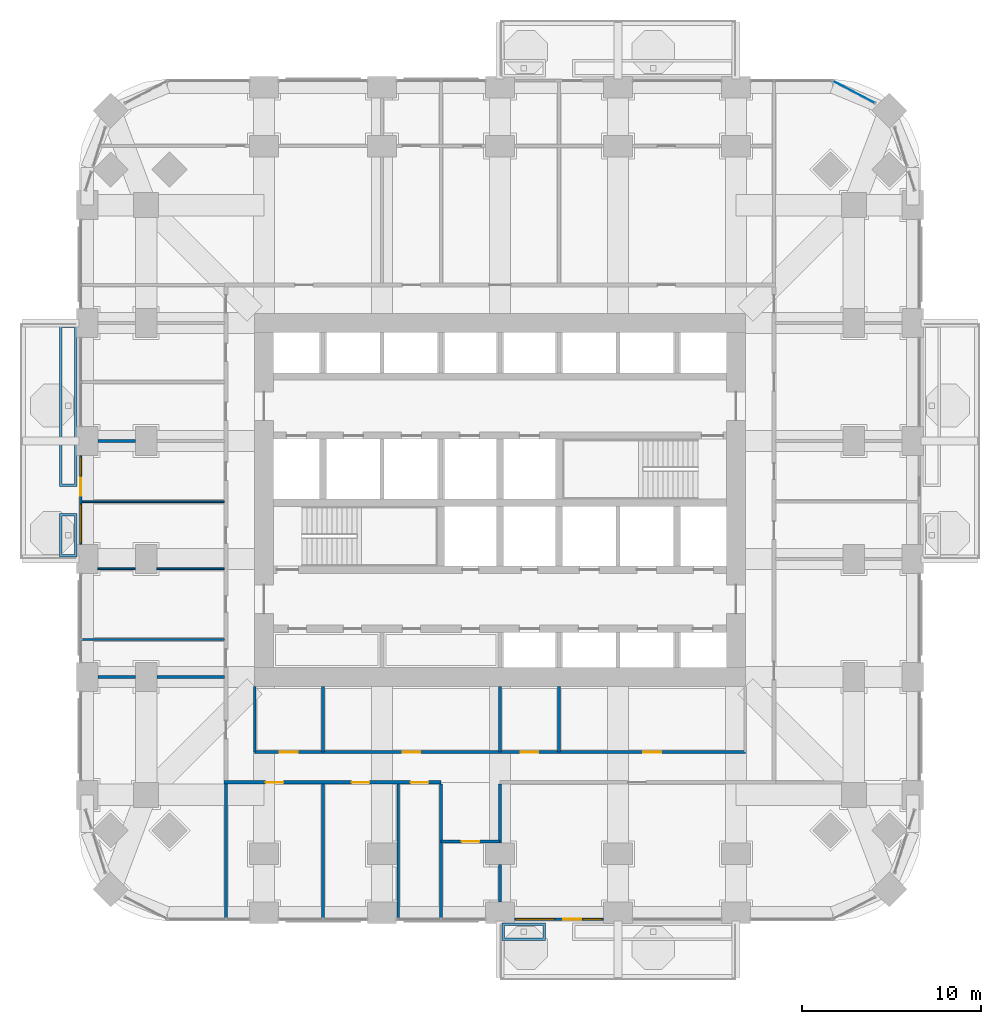
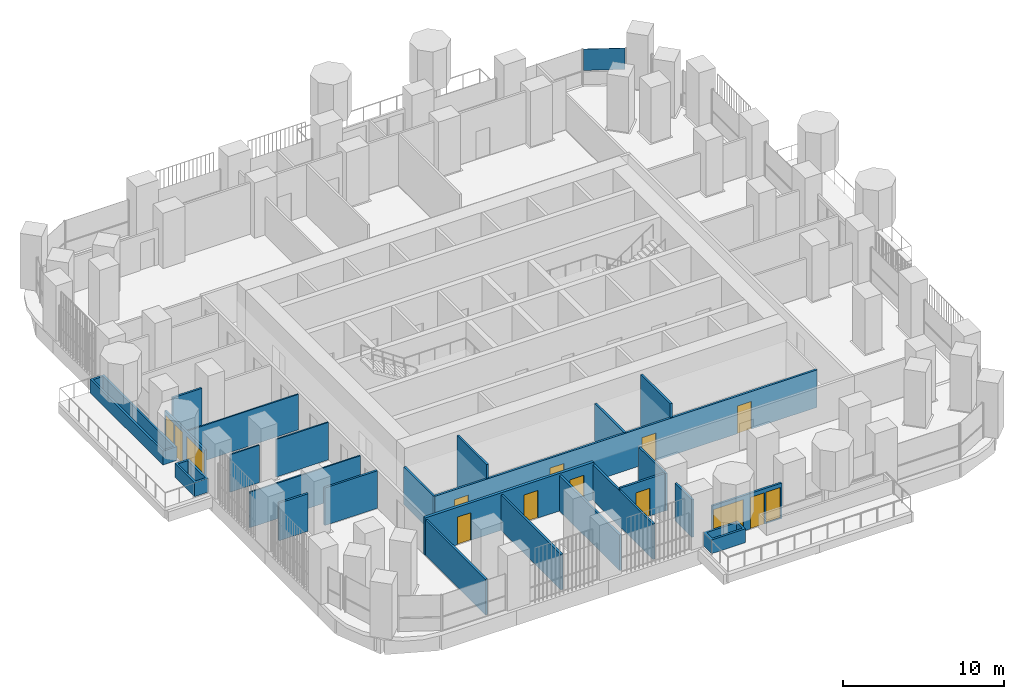
# One storey, part 13 of 21: 25 walls, 10 doors, 4 windows, 1 plate, 14 openings, 1 element without a shape of its own.
"""IFC4 building model written with IfcOpenShell, lengths in metres."""

from ifc_helpers import new_model, si_unit, direction, frame, frame_2d, origin, origin_2d, place, context, subcontext, project, spatial, polyline, rectangle, outline, extrude, material, layer, layer_set, type_object, element, fill, aggregate, save


model = new_model("IFC4")

# Units and contexts
model_context = context("Model", 3, precision=1e-05, world=origin(), true_north=direction((0.0, 1.0)))
body_context = subcontext(model_context, "Body", "Model", "MODEL_VIEW")
ifc_project = project(units=[si_unit("LENGTHUNIT", "METRE"), si_unit("AREAUNIT", "SQUARE_METRE"), si_unit("VOLUMEUNIT", "CUBIC_METRE"), si_unit("PLANEANGLEUNIT", "RADIAN"), si_unit("MASSUNIT", "GRAM", prefix="KILO")], contexts=[model_context])

# Site, building, storey
site_placement = place(None, origin())
site = spatial("IfcSite", under=ifc_project, at=site_placement, CompositionType="ELEMENT")
building_placement = place(site_placement, origin())
building = spatial("IfcBuilding", under=site, at=building_placement, Name="Cobogo Forest Laboratory Tower", CompositionType="ELEMENT")
storey_placement = place(building_placement, frame((0.0, 0.0, 86.39990234375)))
storey = spatial("IfcBuildingStorey", under=building, at=storey_placement, Name="L19", CompositionType="ELEMENT", Elevation=86.39990234375)

# Curtain wall, plate
ifc_material_1 = material(Name="Aluminium curtain wall", Category="aluminium")
curtain_wall_type = type_object("IfcCurtainWallType", Name="CW-1 unitised curtain wall, clear glazing, laboratory floors zones A and B", PredefinedType="USERDEFINED", material=ifc_material_1)
curtain_wall_placement = place(storey_placement, origin())
curtain_wall = element("IfcCurtainWall", 1, at=curtain_wall_placement, inside=storey, type_object=curtain_wall_type, Name="Curtain wall 17 L19", ObjectType="UNITISED CURTAIN WALL", PredefinedType="USERDEFINED")
ifc_material_2 = material(Name="Clear insulated glass", Category="glass")
ifc_layer_1 = layer(ifc_material_2, 0.028076171875)
ifc_layer_set_1 = layer_set([ifc_layer_1], Name="GP-1 clear insulated glass unit 28")
plate_type = type_object("IfcPlateType", Name="GP-1 clear insulated glass unit 28", PredefinedType="CURTAIN_PANEL", material=ifc_layer_set_1)
plate_placement = place(storey_placement, frame((46.2060546875, 45.917724609375, 1.080078125), z_axis=(0.0, 0.0, 1.0), x_axis=(-0.885686540666, 0.464283697413, 0.0)))
plate = element("IfcPlate", 2, at=plate_placement, type_object=plate_type, Name="CW-1 panel 1.2", PredefinedType="CURTAIN_PANEL", context=body_context, shape_type="SweptSolid", body=[
    extrude(rectangle(XDim=2.603271484375, YDim=0.028076171875, at=origin_2d()), origin(), (0.0, 0.0, 1.0), 1.6201171875),
])
aggregate(curtain_wall, [plate])

# Wall, openings, door, windows
ifc_material_3 = material(Name="Aluminium framed glazed screen", Category="aluminium")
ifc_layer_2 = layer(ifc_material_3, 0.14990234375)
ifc_layer_set_2 = layer_set([ifc_layer_2], Name="GS1 glazed door screen 150")
wall_type_1 = type_object("IfcWallType", Name="GS1 glazed door screen 150", PredefinedType="SOLIDWALL", material=ifc_layer_set_2)
wall_1_placement = place(storey_placement, frame((27.199951171875, -0.35009765625, 0.0), z_axis=(0.0, 0.0, 1.0), x_axis=(1.0, 0.0, 0.0)))
wall_1 = element("IfcWall", 3, at=wall_1_placement, inside=storey, type_object=wall_type_1, Name="Door screen BAL-S1 L19", PredefinedType="SOLIDWALL", context=body_context, shape_type="SweptSolid", body=[
    extrude(rectangle(XDim=5.0, YDim=0.14990234375, at=frame_2d((2.5, 0.0))), origin(), (0.0, 0.0, 1.0), 2.7001953125),
])
opening_1_placement = place(wall_1_placement, frame((2.75, 0.0, 0.0)))
opening_1 = element("IfcOpeningElement", 4, at=opening_1_placement, cuts=wall_1, Name="Opening L19-D01", PredefinedType="OPENING", context=body_context, shape_type="SweptSolid", body=[
    extrude(rectangle(XDim=1.0, YDim=2.39990234375, at=frame_2d((0.5, 1.199951171875))), frame((0.0, 0.0849609375, 0.0), z_axis=(0.0, -1.0, 0.0), x_axis=(1.0, 0.0, 0.0)), (0.0, 0.0, 1.0), 0.169921875),
])
opening_2_placement = place(wall_1_placement, frame((0.10009765625, 0.0, 0.10009765625)))
opening_2 = element("IfcOpeningElement", 5, at=opening_2_placement, cuts=wall_1, Name="Opening L19-W01", PredefinedType="OPENING", context=body_context, shape_type="SweptSolid", body=[
    extrude(rectangle(XDim=2.14990234375, YDim=2.300048828125, at=frame_2d((1.074951171875, 1.14990234375))), frame((0.0, 0.0849609375, 0.0), z_axis=(0.0, -1.0, 0.0), x_axis=(1.0, 0.0, 0.0)), (0.0, 0.0, 1.0), 0.169921875),
])
opening_3_placement = place(wall_1_placement, frame((3.85009765625, 0.0, 0.10009765625)))
opening_3 = element("IfcOpeningElement", 6, at=opening_3_placement, cuts=wall_1, Name="Opening L19-W02", PredefinedType="OPENING", context=body_context, shape_type="SweptSolid", body=[
    extrude(rectangle(XDim=1.050048828125, YDim=2.300048828125, at=frame_2d((0.52490234375, 1.14990234375))), frame((0.0, 0.0849609375, 0.0), z_axis=(0.0, -1.0, 0.0), x_axis=(1.0, 0.0, 0.0)), (0.0, 0.0, 1.0), 0.169921875),
])
ifc_material_4 = material(Name="Aluminium glazed door", Category="aluminium")
door_type_1 = type_object("IfcDoorType", Name="DB1 balcony door 1000 glazed", OperationType="SINGLE_SWING_LEFT", PredefinedType="DOOR", material=ifc_material_4)
door_1_placement = place(opening_1_placement, origin())
door_1 = element("IfcDoor", 7, at=door_1_placement, inside=storey, type_object=door_type_1, Name="Door L19-BAL-S1", OperationType="SINGLE_SWING_RIGHT", OverallHeight=2.39990234375, OverallWidth=1.0, PredefinedType="DOOR", context=body_context, shape_type="SweptSolid", body=[
    extrude(rectangle(XDim=1.0, YDim=2.39990234375, at=frame_2d((0.5, 1.199951171875))), frame((0.0, 0.02490234375, 0.0), z_axis=(0.0, -1.0, 0.0), x_axis=(1.0, 0.0, 0.0)), (0.0, 0.0, 1.0), 0.050048828125),
])
fill(opening_1, door_1)
ifc_material_5 = material(Name="Aluminium framed glazing", Category="aluminium")
window_type_1 = type_object("IfcWindowType", Name="WG13 fixed glazed light 2150x2300", PartitioningType="SINGLE_PANEL", PredefinedType="WINDOW", material=ifc_material_5)
window_1_placement = place(opening_2_placement, origin())
window_1 = element("IfcWindow", 8, at=window_1_placement, inside=storey, type_object=window_type_1, Name="Window L19-BAL-S1-1", OverallHeight=2.300048828125, OverallWidth=2.14990234375, PartitioningType="SINGLE_PANEL", PredefinedType="WINDOW", context=body_context, shape_type="SweptSolid", body=[
    extrude(rectangle(XDim=2.14990234375, YDim=2.300048828125, at=frame_2d((1.074951171875, 1.14990234375))), frame((0.0, 0.030029296875, 0.0), z_axis=(0.0, -1.0, 0.0), x_axis=(1.0, 0.0, 0.0)), (0.0, 0.0, 1.0), 0.06005859375),
])
fill(opening_2, window_1)
window_type_2 = type_object("IfcWindowType", Name="WG14 fixed glazed light 1050x2300", PartitioningType="SINGLE_PANEL", PredefinedType="WINDOW", material=ifc_material_5)
window_2_placement = place(opening_3_placement, origin())
window_2 = element("IfcWindow", 9, at=window_2_placement, inside=storey, type_object=window_type_2, Name="Window L19-BAL-S1-2", OverallHeight=2.300048828125, OverallWidth=1.050048828125, PartitioningType="SINGLE_PANEL", PredefinedType="WINDOW", context=body_context, shape_type="SweptSolid", body=[
    extrude(rectangle(XDim=1.050048828125, YDim=2.300048828125, at=frame_2d((0.52490234375, 1.14990234375))), frame((0.0, 0.030029296875, 0.0), z_axis=(0.0, -1.0, 0.0), x_axis=(1.0, 0.0, 0.0)), (0.0, 0.0, 1.0), 0.06005859375),
])
fill(opening_3, window_2)

wall_2_placement = place(storey_placement, frame((2.949951171875, 25.60009765625, 0.0), z_axis=(0.0, 0.0, 1.0), x_axis=(0.0, -1.0, 0.0)))
wall_2 = element("IfcWall", 10, at=wall_2_placement, inside=storey, type_object=wall_type_1, Name="Door screen BAL-W1 L19", PredefinedType="SOLIDWALL", context=body_context, shape_type="SweptSolid", body=[
    extrude(rectangle(XDim=5.0, YDim=0.14990234375, at=frame_2d((2.5, 0.0))), origin(), (0.0, 0.0, 1.0), 2.7001953125),
])
opening_4_placement = place(wall_2_placement, frame((1.25, 0.0, 0.0)))
opening_4 = element("IfcOpeningElement", 11, at=opening_4_placement, cuts=wall_2, Name="Opening L19-D26", PredefinedType="OPENING", context=body_context, shape_type="SweptSolid", body=[
    extrude(rectangle(XDim=1.0, YDim=2.39990234375, at=frame_2d((0.5, 1.199951171875))), frame((0.0, 0.0849609375, 0.0), z_axis=(0.0, -1.0, 0.0), x_axis=(1.0, 0.0, 0.0)), (0.0, 0.0, 1.0), 0.169921875),
])
opening_5_placement = place(wall_2_placement, frame((0.10009765625, 0.0, 0.10009765625)))
opening_5 = element("IfcOpeningElement", 12, at=opening_5_placement, cuts=wall_2, Name="Opening L19-W05", PredefinedType="OPENING", context=body_context, shape_type="SweptSolid", body=[
    extrude(rectangle(XDim=1.050048828125, YDim=2.300048828125, at=frame_2d((0.52490234375, 1.14990234375))), frame((0.0, 0.0849609375, 0.0), z_axis=(0.0, -1.0, 0.0), x_axis=(1.0, 0.0, 0.0)), (0.0, 0.0, 1.0), 0.169921875),
])
opening_6_placement = place(wall_2_placement, frame((2.75, 0.0, 0.10009765625)))
opening_6 = element("IfcOpeningElement", 13, at=opening_6_placement, cuts=wall_2, Name="Opening L19-W03", PredefinedType="OPENING", context=body_context, shape_type="SweptSolid", body=[
    extrude(rectangle(XDim=2.14990234375, YDim=2.300048828125, at=frame_2d((1.074951171875, 1.14990234375))), frame((0.0, 0.0849609375, 0.0), z_axis=(0.0, -1.0, 0.0), x_axis=(1.0, 0.0, 0.0)), (0.0, 0.0, 1.0), 0.169921875),
])
door_2_placement = place(opening_4_placement, origin())
door_2 = element("IfcDoor", 14, at=door_2_placement, inside=storey, type_object=door_type_1, Name="Door L19-BAL-W1", OperationType="SINGLE_SWING_LEFT", OverallHeight=2.39990234375, OverallWidth=1.0, PredefinedType="DOOR", context=body_context, shape_type="SweptSolid", body=[
    extrude(rectangle(XDim=1.0, YDim=2.39990234375, at=frame_2d((0.5, 1.199951171875))), frame((0.0, 0.02490234375, 0.0), z_axis=(0.0, -1.0, 0.0), x_axis=(1.0, 0.0, 0.0)), (0.0, 0.0, 1.0), 0.050048828125),
])
fill(opening_4, door_2)
window_3_placement = place(opening_6_placement, origin())
window_3 = element("IfcWindow", 15, at=window_3_placement, inside=storey, type_object=window_type_1, Name="Window L19-BAL-W1-2", OverallHeight=2.300048828125, OverallWidth=2.14990234375, PartitioningType="SINGLE_PANEL", PredefinedType="WINDOW", context=body_context, shape_type="SweptSolid", body=[
    extrude(rectangle(XDim=2.14990234375, YDim=2.300048828125, at=frame_2d((1.074951171875, 1.14990234375))), frame((0.0, 0.030029296875, 0.0), z_axis=(0.0, -1.0, 0.0), x_axis=(1.0, 0.0, 0.0)), (0.0, 0.0, 1.0), 0.06005859375),
])
fill(opening_6, window_3)
window_4_placement = place(opening_5_placement, origin())
window_4 = element("IfcWindow", 16, at=window_4_placement, inside=storey, type_object=window_type_2, Name="Window L19-BAL-W1-1", OverallHeight=2.300048828125, OverallWidth=1.050048828125, PartitioningType="SINGLE_PANEL", PredefinedType="WINDOW", context=body_context, shape_type="SweptSolid", body=[
    extrude(rectangle(XDim=1.050048828125, YDim=2.300048828125, at=frame_2d((0.52490234375, 1.14990234375))), frame((0.0, 0.030029296875, 0.0), z_axis=(0.0, -1.0, 0.0), x_axis=(1.0, 0.0, 0.0)), (0.0, 0.0, 1.0), 0.06005859375),
])
fill(opening_5, window_4)

# Wall, openings, doors
ifc_material_6 = material(Name="Gypsum board on steel studs", Category="steel")
ifc_layer_3 = layer(ifc_material_6, 0.14990234375)
ifc_layer_set_3 = layer_set([ifc_layer_3], Name="PT1 laboratory partition 150")
wall_type_2 = type_object("IfcWallType", Name="PT1 laboratory partition 150", PredefinedType="PARTITIONING", material=ifc_layer_set_3)
wall_3_placement = place(storey_placement, frame((12.675048828125, 9.0, 0.0), z_axis=(0.0, 0.0, 1.0), x_axis=(1.0, 0.0, 0.0)))
wall_3 = element("IfcWall", 17, at=wall_3_placement, inside=storey, type_object=wall_type_2, Name="Partition CSTRIP-S L19", PredefinedType="PARTITIONING", context=body_context, shape_type="SweptSolid", body=[
    extrude(rectangle(XDim=27.449951171875, YDim=0.14990234375, at=frame_2d((13.72509765625, 0.0))), origin(), (0.0, 0.0, 1.0), 2.85009765625),
])
opening_7_placement = place(wall_3_placement, frame((1.41259765625, 0.0, 0.0)))
opening_7 = element("IfcOpeningElement", 18, at=opening_7_placement, cuts=wall_3, Name="Opening L19-D07", PredefinedType="OPENING", context=body_context, shape_type="SweptSolid", body=[
    extrude(rectangle(XDim=1.0, YDim=2.10009765625, at=frame_2d((0.5, 1.050048828125))), frame((0.0, 0.0849609375, 0.0), z_axis=(0.0, -1.0, 0.0), x_axis=(1.0, 0.0, 0.0)), (0.0, 0.0, 1.0), 0.169921875),
])
opening_8_placement = place(wall_3_placement, frame((8.27490234375, 0.0, 0.0)))
opening_8 = element("IfcOpeningElement", 19, at=opening_8_placement, cuts=wall_3, Name="Opening L19-D08", PredefinedType="OPENING", context=body_context, shape_type="SweptSolid", body=[
    extrude(rectangle(XDim=1.0, YDim=2.10009765625, at=frame_2d((0.5, 1.050048828125))), frame((0.0, 0.0849609375, 0.0), z_axis=(0.0, -1.0, 0.0), x_axis=(1.0, 0.0, 0.0)), (0.0, 0.0, 1.0), 0.169921875),
])
opening_9_placement = place(wall_3_placement, frame((14.875, 0.0, 0.0)))
opening_9 = element("IfcOpeningElement", 20, at=opening_9_placement, cuts=wall_3, Name="Opening L19-D09", PredefinedType="OPENING", context=body_context, shape_type="SweptSolid", body=[
    extrude(rectangle(XDim=1.0, YDim=2.10009765625, at=frame_2d((0.5, 1.050048828125))), frame((0.0, 0.0849609375, 0.0), z_axis=(0.0, -1.0, 0.0), x_axis=(1.0, 0.0, 0.0)), (0.0, 0.0, 1.0), 0.169921875),
])
opening_10_placement = place(wall_3_placement, frame((21.737548828125, 0.0, 0.0)))
opening_10 = element("IfcOpeningElement", 21, at=opening_10_placement, cuts=wall_3, Name="Opening L19-D10", PredefinedType="OPENING", context=body_context, shape_type="SweptSolid", body=[
    extrude(rectangle(XDim=1.0, YDim=2.10009765625, at=frame_2d((0.5, 1.050048828125))), frame((0.0, 0.0849609375, 0.0), z_axis=(0.0, -1.0, 0.0), x_axis=(1.0, 0.0, 0.0)), (0.0, 0.0, 1.0), 0.169921875),
])
ifc_material_7 = material(Name="Timber fire door", Category="wood")
door_type_2 = type_object("IfcDoorType", Name="FD2 fire door 1000 EI2 30", OperationType="SINGLE_SWING_LEFT", PredefinedType="DOOR", material=ifc_material_7)
door_3_placement = place(opening_7_placement, origin())
door_3 = element("IfcDoor", 22, at=door_3_placement, inside=storey, type_object=door_type_2, Name="Door L19-CSS1", OperationType="SINGLE_SWING_LEFT", OverallHeight=2.10009765625, OverallWidth=1.0, PredefinedType="DOOR", context=body_context, shape_type="SweptSolid", body=[
    extrude(rectangle(XDim=1.0, YDim=2.10009765625, at=frame_2d((0.5, 1.050048828125))), frame((0.0, 0.02490234375, 0.0), z_axis=(0.0, -1.0, 0.0), x_axis=(1.0, 0.0, 0.0)), (0.0, 0.0, 1.0), 0.050048828125),
])
fill(opening_7, door_3)
door_4_placement = place(opening_8_placement, origin())
door_4 = element("IfcDoor", 23, at=door_4_placement, inside=storey, type_object=door_type_2, Name="Door L19-CSS2", OperationType="SINGLE_SWING_LEFT", OverallHeight=2.10009765625, OverallWidth=1.0, PredefinedType="DOOR", context=body_context, shape_type="SweptSolid", body=[
    extrude(rectangle(XDim=1.0, YDim=2.10009765625, at=frame_2d((0.5, 1.050048828125))), frame((0.0, 0.02490234375, 0.0), z_axis=(0.0, -1.0, 0.0), x_axis=(1.0, 0.0, 0.0)), (0.0, 0.0, 1.0), 0.050048828125),
])
fill(opening_8, door_4)
door_5_placement = place(opening_9_placement, origin())
door_5 = element("IfcDoor", 24, at=door_5_placement, inside=storey, type_object=door_type_2, Name="Door L19-CSS3", OperationType="SINGLE_SWING_RIGHT", OverallHeight=2.10009765625, OverallWidth=1.0, PredefinedType="DOOR", context=body_context, shape_type="SweptSolid", body=[
    extrude(rectangle(XDim=1.0, YDim=2.10009765625, at=frame_2d((0.5, 1.050048828125))), frame((0.0, 0.02490234375, 0.0), z_axis=(0.0, -1.0, 0.0), x_axis=(1.0, 0.0, 0.0)), (0.0, 0.0, 1.0), 0.050048828125),
])
fill(opening_9, door_5)
door_6_placement = place(opening_10_placement, origin())
door_6 = element("IfcDoor", 25, at=door_6_placement, inside=storey, type_object=door_type_2, Name="Door L19-CSS4", OperationType="SINGLE_SWING_RIGHT", OverallHeight=2.10009765625, OverallWidth=1.0, PredefinedType="DOOR", context=body_context, shape_type="SweptSolid", body=[
    extrude(rectangle(XDim=1.0, YDim=2.10009765625, at=frame_2d((0.5, 1.050048828125))), frame((0.0, 0.02490234375, 0.0), z_axis=(0.0, -1.0, 0.0), x_axis=(1.0, 0.0, 0.0)), (0.0, 0.0, 1.0), 0.050048828125),
])
fill(opening_10, door_6)

# Walls
wall_4_placement = place(storey_placement, frame((12.675048828125, 12.675048828125, 0.0), z_axis=(0.0, 0.0, 1.0), x_axis=(0.0, -1.0, 0.0)))
element("IfcWall", 26, at=wall_4_placement, inside=storey, type_object=wall_type_2, Name="Partition CSTRIP-SW L19", PredefinedType="PARTITIONING", context=body_context, shape_type="SweptSolid", body=[
    extrude(rectangle(XDim=3.675048828125, YDim=0.14990234375, at=frame_2d((1.83740234375, 0.0))), origin(), (0.0, 0.0, 1.0), 2.85009765625),
])
wall_5_placement = place(storey_placement, frame((16.5, 12.675048828125, 0.0), z_axis=(0.0, 0.0, 1.0), x_axis=(0.0, -1.0, 0.0)))
element("IfcWall", 27, at=wall_5_placement, inside=storey, type_object=wall_type_2, Name="Partition CSTRIP-S16.5 L19", PredefinedType="PARTITIONING", context=body_context, shape_type="SweptSolid", body=[
    extrude(rectangle(XDim=3.675048828125, YDim=0.14990234375, at=frame_2d((1.83740234375, 0.0))), origin(), (0.0, 0.0, 1.0), 3.900146484375),
])
wall_6_placement = place(storey_placement, frame((26.39990234375, 12.675048828125, 0.0), z_axis=(0.0, 0.0, 1.0), x_axis=(0.0, -1.0, 0.0)))
element("IfcWall", 28, at=wall_6_placement, inside=storey, type_object=wall_type_2, Name="Partition CSTRIP-S26.4 L19", PredefinedType="PARTITIONING", context=body_context, shape_type="SweptSolid", body=[
    extrude(rectangle(XDim=3.675048828125, YDim=0.14990234375, at=frame_2d((1.83740234375, 0.0))), origin(), (0.0, 0.0, 1.0), 2.85009765625),
])
wall_7_placement = place(storey_placement, frame((29.699951171875, 12.675048828125, 0.0), z_axis=(0.0, 0.0, 1.0), x_axis=(0.0, -1.0, 0.0)))
element("IfcWall", 29, at=wall_7_placement, inside=storey, type_object=wall_type_2, Name="Partition CSTRIP-S29.7 L19", PredefinedType="PARTITIONING", context=body_context, shape_type="SweptSolid", body=[
    extrude(rectangle(XDim=3.675048828125, YDim=0.14990234375, at=frame_2d((1.83740234375, 0.0))), origin(), (0.0, 0.0, 1.0), 3.900146484375),
])
for number, where, z_axis, x_axis, name in (
    (30, (11.074951171875, -0.27001953125, 0.0), (0.0, 0.0, 1.0), (0.0, 1.0, 0.0), "Partition PW-SW L19"),
    (31, (20.699951171875, -0.27001953125, 0.0), (0.0, 0.0, 1.0), (0.0, 1.0, 0.0), "Partition SVC-S1-1 L19"),
):
    element("IfcWall", number, at=place(storey_placement, frame(where, z_axis=z_axis, x_axis=x_axis)), inside=storey, type_object=wall_type_2, Name=name, PredefinedType="PARTITIONING", context=body_context, shape_type="SweptSolid", body=[
        extrude(rectangle(XDim=7.469970703125, YDim=0.14990234375, at=frame_2d((3.73486328125, 0.0))), origin(), (0.0, 0.0, 1.0), 2.7001953125),
    ])

# Wall, opening, door
wall_8_placement = place(storey_placement, frame((23.10009765625, 4.0, 0.0), z_axis=(0.0, 0.0, 1.0), x_axis=(1.0, 0.0, 0.0)))
wall_8 = element("IfcWall", 32, at=wall_8_placement, inside=storey, type_object=wall_type_2, Name="Partition NODE-S-1 L19", PredefinedType="PARTITIONING", context=body_context, shape_type="SweptSolid", body=[
    extrude(rectangle(XDim=3.2998046875, YDim=0.14990234375, at=frame_2d((1.64990234375, 0.0))), origin(), (0.0, 0.0, 1.0), 2.85009765625),
])
opening_11_placement = place(wall_8_placement, frame((1.14990234375, 0.0, 0.0)))
opening_11 = element("IfcOpeningElement", 33, at=opening_11_placement, cuts=wall_8, Name="Opening L19-D02", PredefinedType="OPENING", context=body_context, shape_type="SweptSolid", body=[
    extrude(rectangle(XDim=1.0, YDim=2.10009765625, at=frame_2d((0.5, 1.050048828125))), frame((0.0, 0.0849609375, 0.0), z_axis=(0.0, -1.0, 0.0), x_axis=(1.0, 0.0, 0.0)), (0.0, 0.0, 1.0), 0.169921875),
])
door_7_placement = place(opening_11_placement, origin())
door_7 = element("IfcDoor", 34, at=door_7_placement, inside=storey, type_object=door_type_2, Name="Door L19-S3", OperationType="SINGLE_SWING_LEFT", OverallHeight=2.10009765625, OverallWidth=1.0, PredefinedType="DOOR", context=body_context, shape_type="SweptSolid", body=[
    extrude(rectangle(XDim=1.0, YDim=2.10009765625, at=frame_2d((0.5, 1.050048828125))), frame((0.0, 0.02490234375, 0.0), z_axis=(0.0, -1.0, 0.0), x_axis=(1.0, 0.0, 0.0)), (0.0, 0.0, 1.0), 0.050048828125),
])
fill(opening_11, door_7)

# Walls
for number, where, z_axis, x_axis, name in (
    (35, (16.5, -0.27001953125, 0.0), (0.0, 0.0, 1.0), (0.0, 1.0, 0.0), "Partition CUT-S16.5-1 L19"),
    (36, (23.10009765625, -0.27001953125, 0.0), (0.0, 0.0, 1.0), (0.0, 1.0, 0.0), "Partition CUT-S23.1-1 L19"),
):
    element("IfcWall", number, at=place(storey_placement, frame(where, z_axis=z_axis, x_axis=x_axis)), inside=storey, type_object=wall_type_2, Name=name, PredefinedType="PARTITIONING", context=body_context, shape_type="SweptSolid", body=[
        extrude(rectangle(XDim=7.469970703125, YDim=0.14990234375, at=frame_2d((3.73486328125, 0.0))), origin(), (0.0, 0.0, 1.0), 2.7001953125),
    ])
wall_9_placement = place(storey_placement, frame((26.39990234375, 0.60009765625, 0.0), z_axis=(0.0, 0.0, 1.0), x_axis=(0.0, 1.0, 0.0)))
element("IfcWall", 37, at=wall_9_placement, inside=storey, type_object=wall_type_2, Name="Partition CUT-S26.4-1 L19", PredefinedType="PARTITIONING", context=body_context, shape_type="SweptSolid", body=[
    extrude(rectangle(XDim=2.099853515625, YDim=0.14990234375, at=frame_2d((1.0498046875, 0.0))), origin(), (0.0, 0.0, 1.0), 2.85009765625),
])
wall_10_placement = place(storey_placement, frame((26.39990234375, 3.89990234375, 0.0), z_axis=(0.0, 0.0, 1.0), x_axis=(0.0, 1.0, 0.0)))
element("IfcWall", 38, at=wall_10_placement, inside=storey, type_object=wall_type_2, Name="Partition CUT-S26.4-2 L19", PredefinedType="PARTITIONING", context=body_context, shape_type="SweptSolid", body=[
    extrude(rectangle(XDim=3.300048828125, YDim=0.14990234375, at=frame_2d((1.64990234375, 0.0))), origin(), (0.0, 0.0, 1.0), 2.85009765625),
])
wall_11_placement = place(storey_placement, frame((3.89990234375, 13.199951171875, 0.0), z_axis=(0.0, 0.0, 1.0), x_axis=(1.0, 0.0, 0.0)))
element("IfcWall", 39, at=wall_11_placement, inside=storey, type_object=wall_type_2, Name="Partition CUT-W13.2-1 L19", PredefinedType="PARTITIONING", context=body_context, shape_type="SweptSolid", body=[
    extrude(rectangle(XDim=2.10009765625, YDim=0.14990234375, at=frame_2d((1.050048828125, 0.0))), origin(), (0.0, 0.0, 1.0), 2.85009765625),
])
wall_12_placement = place(storey_placement, frame((7.199951171875, 13.199951171875, 0.0), z_axis=(0.0, 0.0, 1.0), x_axis=(1.0, 0.0, 0.0)))
element("IfcWall", 40, at=wall_12_placement, inside=storey, type_object=wall_type_2, Name="Partition CUT-W13.2-2 L19", PredefinedType="PARTITIONING", context=body_context, shape_type="SweptSolid", body=[
    extrude(rectangle(XDim=3.775146484375, YDim=0.14990234375, at=frame_2d((1.8876953125, 0.0))), origin(), (0.0, 0.0, 1.0), 2.85009765625),
])
wall_13_placement = place(storey_placement, frame((3.89990234375, 26.39990234375, 0.0), z_axis=(0.0, 0.0, 1.0), x_axis=(1.0, 0.0, 0.0)))
element("IfcWall", 41, at=wall_13_placement, inside=storey, type_object=wall_type_2, Name="Partition CUT-W26.4-1 L19", PredefinedType="PARTITIONING", context=body_context, shape_type="SweptSolid", body=[
    extrude(rectangle(XDim=2.10009765625, YDim=0.14990234375, at=frame_2d((1.050048828125, 0.0))), origin(), (0.0, 0.0, 1.0), 2.85009765625),
])

# Wall, openings, doors
ifc_layer_4 = layer(ifc_material_6, 0.199951171875)
ifc_layer_set_4 = layer_set([ifc_layer_4], Name="PT2 fire-rated corridor partition 200")
wall_type_3 = type_object("IfcWallType", Name="PT2 fire-rated corridor partition 200", PredefinedType="PARTITIONING", material=ifc_layer_set_4)
wall_14_placement = place(storey_placement, frame((10.97509765625, 7.300048828125, 0.0), z_axis=(0.0, 0.0, 1.0), x_axis=(1.0, 0.0, 0.0)))
wall_14 = element("IfcWall", 42, at=wall_14_placement, inside=storey, type_object=wall_type_3, Name="Partition CORR-S-1 L19", PredefinedType="PARTITIONING", context=body_context, shape_type="SweptSolid", body=[
    extrude(rectangle(XDim=12.125, YDim=0.199951171875, at=frame_2d((6.0625, 0.0))), origin(), (0.0, 0.0, 1.0), 2.85009765625),
])
opening_12_placement = place(wall_14_placement, frame((2.3125, 0.0, 0.0)))
opening_12 = element("IfcOpeningElement", 43, at=opening_12_placement, cuts=wall_14, Name="Opening L19-D03", PredefinedType="OPENING", context=body_context, shape_type="SweptSolid", body=[
    extrude(rectangle(XDim=1.0, YDim=2.10009765625, at=frame_2d((0.5, 1.050048828125))), frame((0.0, 0.10986328125, 0.0), z_axis=(0.0, -1.0, 0.0), x_axis=(1.0, 0.0, 0.0)), (0.0, 0.0, 1.0), 0.219970703125),
])
opening_13_placement = place(wall_14_placement, frame((7.125, 0.0, 0.0)))
opening_13 = element("IfcOpeningElement", 44, at=opening_13_placement, cuts=wall_14, Name="Opening L19-D04", PredefinedType="OPENING", context=body_context, shape_type="SweptSolid", body=[
    extrude(rectangle(XDim=1.0, YDim=2.10009765625, at=frame_2d((0.5, 1.050048828125))), frame((0.0, 0.10986328125, 0.0), z_axis=(0.0, -1.0, 0.0), x_axis=(1.0, 0.0, 0.0)), (0.0, 0.0, 1.0), 0.219970703125),
])
opening_14_placement = place(wall_14_placement, frame((10.425048828125, 0.0, 0.0)))
opening_14 = element("IfcOpeningElement", 45, at=opening_14_placement, cuts=wall_14, Name="Opening L19-D05", PredefinedType="OPENING", context=body_context, shape_type="SweptSolid", body=[
    extrude(rectangle(XDim=1.0, YDim=2.10009765625, at=frame_2d((0.5, 1.050048828125))), frame((0.0, 0.10986328125, 0.0), z_axis=(0.0, -1.0, 0.0), x_axis=(1.0, 0.0, 0.0)), (0.0, 0.0, 1.0), 0.219970703125),
])
door_8_placement = place(opening_12_placement, origin())
door_8 = element("IfcDoor", 46, at=door_8_placement, inside=storey, type_object=door_type_2, Name="Door L19-S1", OperationType="SINGLE_SWING_LEFT", OverallHeight=2.10009765625, OverallWidth=1.0, PredefinedType="DOOR", context=body_context, shape_type="SweptSolid", body=[
    extrude(rectangle(XDim=1.0, YDim=2.10009765625, at=frame_2d((0.5, 1.050048828125))), frame((0.0, 0.02490234375, 0.0), z_axis=(0.0, -1.0, 0.0), x_axis=(1.0, 0.0, 0.0)), (0.0, 0.0, 1.0), 0.050048828125),
])
fill(opening_12, door_8)
door_9_placement = place(opening_13_placement, origin())
door_9 = element("IfcDoor", 47, at=door_9_placement, inside=storey, type_object=door_type_2, Name="Door L19-MTG", OperationType="SINGLE_SWING_RIGHT", OverallHeight=2.10009765625, OverallWidth=1.0, PredefinedType="DOOR", context=body_context, shape_type="SweptSolid", body=[
    extrude(rectangle(XDim=1.0, YDim=2.10009765625, at=frame_2d((0.5, 1.050048828125))), frame((0.0, 0.02490234375, 0.0), z_axis=(0.0, -1.0, 0.0), x_axis=(1.0, 0.0, 0.0)), (0.0, 0.0, 1.0), 0.050048828125),
])
fill(opening_13, door_9)
door_10_placement = place(opening_14_placement, origin())
door_10 = element("IfcDoor", 48, at=door_10_placement, inside=storey, type_object=door_type_2, Name="Door L19-PAN", OperationType="SINGLE_SWING_RIGHT", OverallHeight=2.10009765625, OverallWidth=1.0, PredefinedType="DOOR", context=body_context, shape_type="SweptSolid", body=[
    extrude(rectangle(XDim=1.0, YDim=2.10009765625, at=frame_2d((0.5, 1.050048828125))), frame((0.0, 0.02490234375, 0.0), z_axis=(0.0, -1.0, 0.0), x_axis=(1.0, 0.0, 0.0)), (0.0, 0.0, 1.0), 0.050048828125),
])
fill(opening_14, door_10)

# Walls
ifc_layer_5 = layer(ifc_material_6, 0.10009765625)
ifc_layer_set_5 = layer_set([ifc_layer_5], Name="PT3 toilet partition 100")
wall_type_4 = type_object("IfcWallType", Name="PT3 toilet partition 100", PredefinedType="PARTITIONING", material=ifc_layer_set_5)
wall_15_placement = place(storey_placement, frame((3.030029296875, 15.300048828125, 0.0), z_axis=(0.0, 0.0, 1.0), x_axis=(1.0, 0.0, 0.0)))
element("IfcWall", 49, at=wall_15_placement, inside=storey, type_object=wall_type_4, Name="Partition SVC-W1-1 L19", PredefinedType="PARTITIONING", context=body_context, shape_type="SweptSolid", body=[
    extrude(rectangle(XDim=7.945068359375, YDim=0.10009765625, at=frame_2d((3.97265625, 0.0))), origin(), (0.0, 0.0, 1.0), 2.7001953125),
])
wall_16_placement = place(storey_placement, frame((3.89990234375, 19.25, 0.0), z_axis=(0.0, 0.0, 1.0), x_axis=(1.0, 0.0, 0.0)))
element("IfcWall", 50, at=wall_16_placement, inside=storey, type_object=wall_type_4, Name="Partition SVC-W2-1 L19", PredefinedType="PARTITIONING", context=body_context, shape_type="SweptSolid", body=[
    extrude(rectangle(XDim=2.10009765625, YDim=0.10009765625, at=frame_2d((1.050048828125, 0.0))), origin(), (0.0, 0.0, 1.0), 2.85009765625),
])
wall_17_placement = place(storey_placement, frame((7.199951171875, 19.25, 0.0), z_axis=(0.0, 0.0, 1.0), x_axis=(1.0, 0.0, 0.0)))
element("IfcWall", 51, at=wall_17_placement, inside=storey, type_object=wall_type_4, Name="Partition SVC-W2-2 L19", PredefinedType="PARTITIONING", context=body_context, shape_type="SweptSolid", body=[
    extrude(rectangle(XDim=3.775146484375, YDim=0.10009765625, at=frame_2d((1.8876953125, 0.0))), origin(), (0.0, 0.0, 1.0), 2.85009765625),
])
wall_18_placement = place(storey_placement, frame((3.030029296875, 23.0, 0.0), z_axis=(0.0, 0.0, 1.0), x_axis=(1.0, 0.0, 0.0)))
element("IfcWall", 52, at=wall_18_placement, inside=storey, type_object=wall_type_4, Name="Partition SVC-W3-1 L19", PredefinedType="PARTITIONING", context=body_context, shape_type="SweptSolid", body=[
    extrude(rectangle(XDim=7.945068359375, YDim=0.10009765625, at=frame_2d((3.97265625, 0.0))), origin(), (0.0, 0.0, 1.0), 2.7001953125),
])
ifc_material_8 = material(Name="Concrete HA-40 (C40/50)", Category="concrete")
ifc_layer_6 = layer(ifc_material_8, 0.14990234375)
ifc_layer_set_6 = layer_set([ifc_layer_6], Name="Planter box 1000x1050")
wall_type_5 = type_object("IfcWallType", Name="Planter box 1000x1050", PredefinedType="USERDEFINED", material=ifc_layer_set_6)
wall_19_placement = place(storey_placement, origin())
element("IfcWall", 53, at=wall_19_placement, inside=storey, type_object=wall_type_5, Name="Planter BAL-S1-1 L19", ObjectType="PLANTER", PredefinedType="USERDEFINED", context=body_context, shape_type="SweptSolid", body=[
    extrude(outline(polyline([(26.5, -1.550048828125), (28.949951171875, -1.550048828125), (28.949951171875, -0.550048828125), (26.5, -0.550048828125), (26.5, -1.550048828125)]), holes=[polyline([(26.64990234375, -1.39990234375), (28.800048828125, -1.39990234375), (28.800048828125, -0.699951171875), (26.64990234375, -0.699951171875), (26.64990234375, -1.39990234375)])]), origin(), (0.0, 0.0, 1.0), 1.050048828125),
])
wall_20_placement = place(storey_placement, origin())
element("IfcWall", 54, at=wall_20_placement, inside=storey, type_object=wall_type_5, Name="Planter BAL-W1-1 L19", ObjectType="PLANTER", PredefinedType="USERDEFINED", context=body_context, shape_type="SweptSolid", body=[
    extrude(outline(polyline([(1.75, 19.89990234375), (2.75, 19.89990234375), (2.75, 22.35009765625), (1.75, 22.35009765625), (1.75, 19.89990234375)]), holes=[polyline([(1.89990234375, 20.050048828125), (2.60009765625, 20.050048828125), (2.60009765625, 22.199951171875), (1.89990234375, 22.199951171875), (1.89990234375, 20.050048828125)])]), origin(), (0.0, 0.0, 1.0), 1.050048828125),
])
wall_21_placement = place(storey_placement, origin())
element("IfcWall", 55, at=wall_21_placement, inside=storey, type_object=wall_type_5, Name="Planter BAL-W1-2 L19", ObjectType="PLANTER", PredefinedType="USERDEFINED", context=body_context, shape_type="SweptSolid", body=[
    extrude(outline(polyline([(1.75, 23.85009765625), (2.75, 23.85009765625), (2.75, 32.89990234375), (1.75, 32.89990234375), (1.75, 23.85009765625)]), holes=[polyline([(1.89990234375, 24.0), (2.60009765625, 24.0), (2.60009765625, 32.75), (1.89990234375, 32.75), (1.89990234375, 24.0)])]), origin(), (0.0, 0.0, 1.0), 1.050048828125),
])

save(model, "model.ifc")
